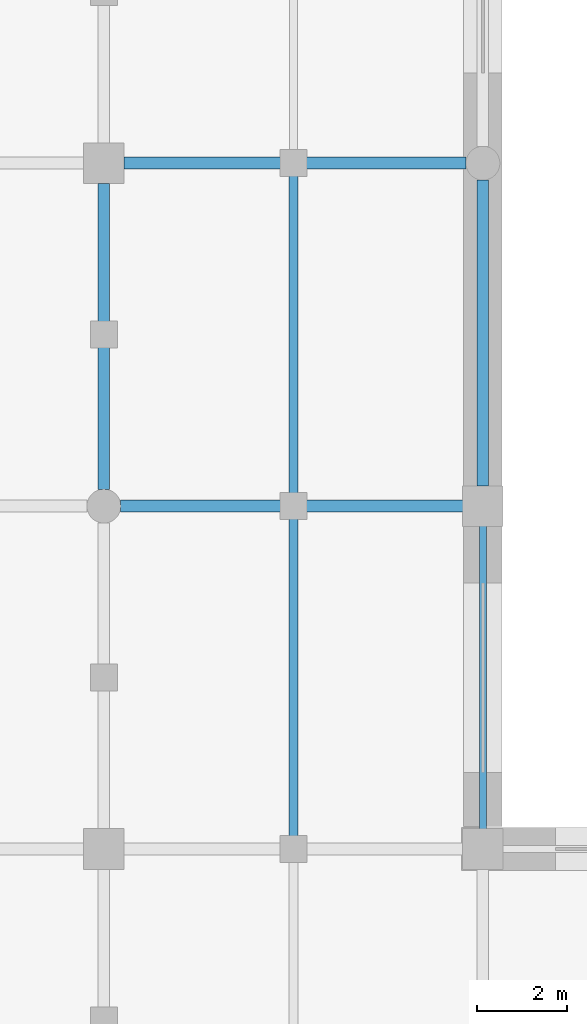
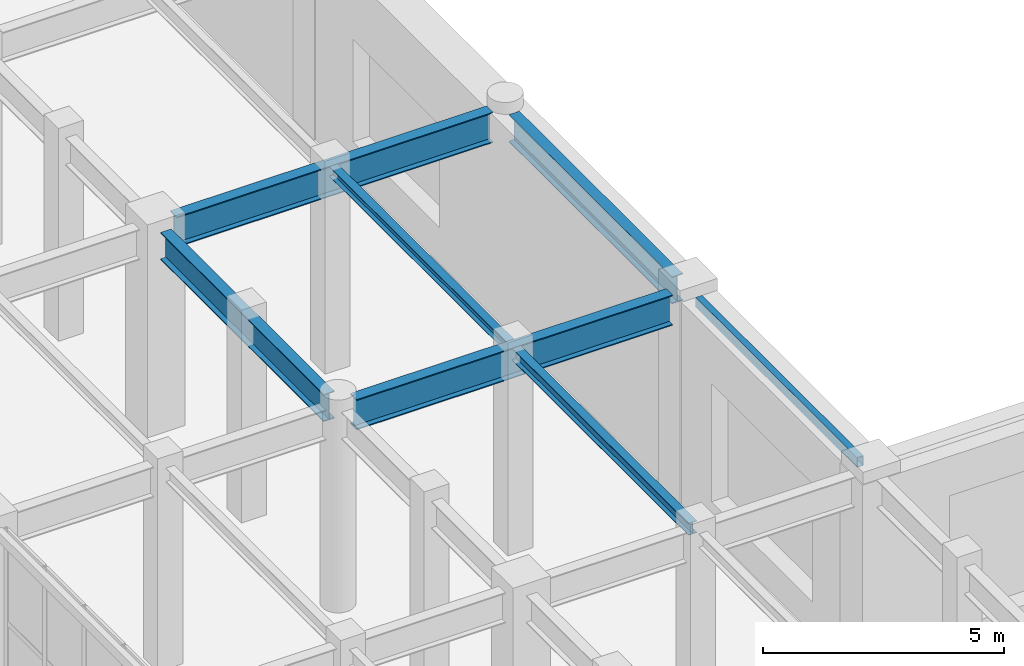
# One storey, part 31 of 139: 7 beams.
"""IFC4 building model written with IfcOpenShell, lengths in metres."""

from ifc_helpers import new_model, si_unit, direction, frame, origin, origin_2d, place, context, subcontext, project, spatial, hollow_rectangle, i_section, extrude, material, material_profile, profile_set, type_object, element, save


model = new_model("IFC4")

# Units and contexts
model_context = context("Model", 3, precision=1e-05, world=origin(), true_north=direction((0.0, 1.0)))
body_context = subcontext(model_context, "Body", "Model", "MODEL_VIEW")
ifc_project = project(units=[si_unit("LENGTHUNIT", "METRE"), si_unit("AREAUNIT", "SQUARE_METRE"), si_unit("VOLUMEUNIT", "CUBIC_METRE"), si_unit("PLANEANGLEUNIT", "RADIAN"), si_unit("MASSUNIT", "GRAM", prefix="KILO")], contexts=[model_context])

# Site, building, storey
site_placement = place(None, origin())
site = spatial("IfcSite", under=ifc_project, at=site_placement, CompositionType="ELEMENT")
building_placement = place(site_placement, origin())
building = spatial("IfcBuilding", under=site, at=building_placement, Name="Xicomal Pleat Aquarium", CompositionType="ELEMENT")
storey_placement = place(building_placement, origin())
storey = spatial("IfcBuildingStorey", under=building, at=storey_placement, Name="L01", CompositionType="ELEMENT", Elevation=0.0)

# Beams
ifc_material_1 = material(Name="Structural steel A992 Gr 50", Category="steel")
ifc_material_profile_1 = material_profile(ifc_material_1, i_section(OverallWidth=0.201904296875, OverallDepth=0.2470703125, WebThickness=0.00732421875, FlangeThickness=0.010986328125, at=origin_2d()), Name="IR 250x49")
ifc_profile_set_1 = profile_set([ifc_material_profile_1], Name="Structural steel A992 Gr 50")
beam_type_1 = type_object("IfcBeamType", Name="BM-STL-IR250", PredefinedType="JOIST", material=ifc_profile_set_1)
beam_1_placement = place(storey_placement, frame((56.39990234375, 53.3369140625, 4.9765625), z_axis=(0.0, 1.0, 0.0), x_axis=(-1.0, 0.0, 0.0)))
element("IfcBeam", 1, at=beam_1_placement, inside=storey, type_object=beam_type_1, Name="L01 framing beam FBJ-L01-07-H-1", PredefinedType="JOIST", context=body_context, shape_type="SweptSolid", body=[
    extrude(i_section(OverallWidth=0.201904296875, OverallDepth=0.2470703125, WebThickness=0.00732421875, FlangeThickness=0.010986328125, at=origin_2d()), origin(), (0.0, 0.0, 1.0), 7.326171875),
])
ifc_material_2 = material(Name="Structural steel A992 Gr 50", Category="steel")
ifc_material_profile_2 = material_profile(ifc_material_2, i_section(OverallWidth=0.202880859375, OverallDepth=0.302978515625, WebThickness=0.007568359375, FlangeThickness=0.01318359375, at=origin_2d()), Name="IR 310x60")
ifc_profile_set_2 = profile_set([ifc_material_profile_2], Name="Structural steel A992 Gr 50")
beam_type_2 = type_object("IfcBeamType", Name="BM-STL-IR310", PredefinedType="JOIST", material=ifc_profile_set_2)
beam_2_placement = place(storey_placement, frame((56.39990234375, 45.737060546875, 4.948486328125), z_axis=(0.0, 1.0, 0.0), x_axis=(-1.0, 0.0, 0.0)))
element("IfcBeam", 2, at=beam_2_placement, inside=storey, type_object=beam_type_2, Name="L01 framing beam FBJ-L01-07-G-1", PredefinedType="JOIST", context=body_context, shape_type="SweptSolid", body=[
    extrude(i_section(OverallWidth=0.202880859375, OverallDepth=0.302978515625, WebThickness=0.007568359375, FlangeThickness=0.01318359375, at=origin_2d()), origin(), (0.0, 0.0, 1.0), 7.325927734375),
])
ifc_material_3 = material(Name="Structural steel A992 Gr 50", Category="steel")
ifc_material_profile_3 = material_profile(ifc_material_3, i_section(OverallWidth=0.256103515625, OverallDepth=0.693115234375, WebThickness=0.014404296875, FlangeThickness=0.023681640625, at=origin_2d()), Name="IR 690x170")
ifc_profile_set_3 = profile_set([ifc_material_profile_3], Name="Structural steel A992 Gr 50")
beam_type_3 = type_object("IfcBeamType", Name="BM-STL-IR690", PredefinedType="BEAM", material=ifc_profile_set_3)
for number, where, z_axis, x_axis, name in (
    (3, (52.199951171875, 53.570068359375, 4.75341796875), (0.0, 1.0, 0.0), (-1.0, 0.0, 0.0), "L01 framing beam FGY-L01-07-H-J"),
    (4, (60.60009765625, 53.64501953125, 4.75341796875), (0.0, 1.0, 0.0), (-1.0, 0.0, 0.0), "L01 framing beam FGY-L01-08-H-J"),
):
    element("IfcBeam", number, at=place(storey_placement, frame(where, z_axis=z_axis, x_axis=x_axis)), inside=storey, type_object=beam_type_3, Name=name, PredefinedType="BEAM", context=body_context, shape_type="SweptSolid", body=[
        extrude(i_section(OverallWidth=0.256103515625, OverallDepth=0.693115234375, WebThickness=0.014404296875, FlangeThickness=0.023681640625, at=origin_2d()), origin(), (0.0, 0.0, 1.0), 6.784912109375),
    ])
ifc_material_4 = material(Name="Structural steel A992 Gr 50", Category="steel")
ifc_material_profile_4 = material_profile(ifc_material_4, i_section(OverallWidth=0.26806640625, OverallDepth=0.77001953125, WebThickness=0.015625, FlangeThickness=0.025390625, at=origin_2d()), Name="IR 760x196")
ifc_profile_set_4 = profile_set([ifc_material_profile_4], Name="Structural steel A992 Gr 50")
beam_type_4 = type_object("IfcBeamType", Name="BM-STL-IR760", PredefinedType="BEAM", material=ifc_profile_set_4)
for number, where, z_axis, x_axis, name in (
    (5, (52.570068359375, 53.199951171875, 4.715087890625), (1.0, 0.0, 0.0), (0.0, 1.0, 0.0), "L01 framing beam FGX-L01-07-08-H"),
    (6, (52.64501953125, 60.800048828125, 4.715087890625), (1.0, 0.0, 0.0), (0.0, 1.0, 0.0), "L01 framing beam FGX-L01-07-08-J"),
):
    element("IfcBeam", number, at=place(storey_placement, frame(where, z_axis=z_axis, x_axis=x_axis)), inside=storey, type_object=beam_type_4, Name=name, PredefinedType="BEAM", context=body_context, shape_type="SweptSolid", body=[
        extrude(i_section(OverallWidth=0.26806640625, OverallDepth=0.77001953125, WebThickness=0.015625, FlangeThickness=0.025390625, at=origin_2d()), origin(), (0.0, 0.0, 1.0), 7.5849609375),
    ])
ifc_material_5 = material(Name="Structural steel A500 Gr C", Category="steel")
ifc_material_profile_5 = material_profile(ifc_material_5, hollow_rectangle(XDim=0.14990234375, YDim=0.25, WallThickness=0.010009765625, at=origin_2d()), Name="OR 250x150x10")
ifc_profile_set_5 = profile_set([ifc_material_profile_5], Name="Structural steel A500 Gr C")
beam_type_5 = type_object("IfcBeamType", Name="BM-STL-OR250", PredefinedType="SPANDREL", material=ifc_profile_set_5)
beam_3_placement = place(storey_placement, frame((60.60009765625, 46.044921875, 4.97509765625), z_axis=(0.0, 1.0, 0.0), x_axis=(-1.0, 0.0, 0.0)))
element("IfcBeam", 7, at=beam_3_placement, inside=storey, type_object=beam_type_5, Name="L01 framing beam FGY-L01-08-G-H", PredefinedType="SPANDREL", context=body_context, shape_type="SweptSolid", body=[
    extrude(hollow_rectangle(XDim=0.14990234375, YDim=0.25, WallThickness=0.010009765625, at=origin_2d()), origin(), (0.0, 0.0, 1.0), 6.7099609375),
])

save(model, "model.ifc")
